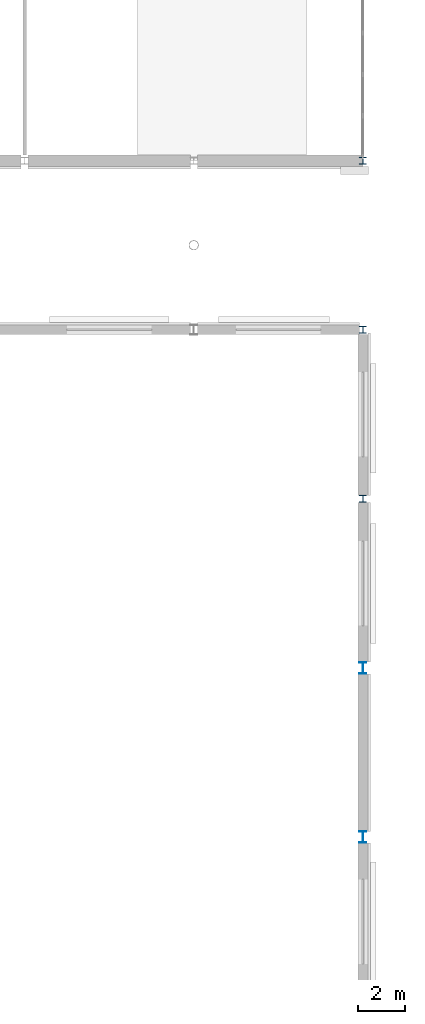
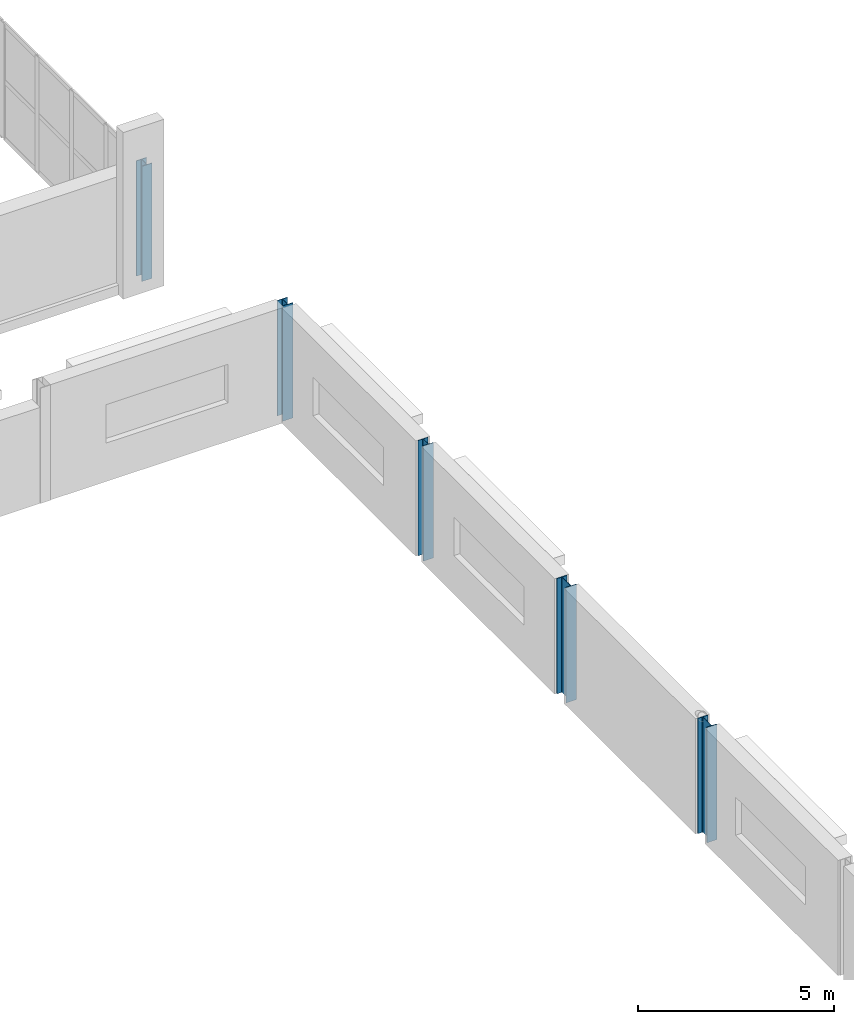
# One storey, part 23 of 124: 5 columns.
"""IFC4 building model written with IfcOpenShell, lengths in metres."""

import ifcopenshell
import ifcopenshell.guid

model = None  # the IFC model being written
_history = None  # IfcOwnerHistory: only IFC2X3 demands one
_inside = {}  # id of a spatial element -> (the spatial element, [elements in it])
_under = {}  # id of a project, library or spatial element -> (it, [spatial elements below it])
_declared = {}  # id of a project -> (the project, [libraries it declares])
_typed = {}  # id of a type object -> (the type object, [elements of that type])
_made_of = {}  # id of a material, layer set ... -> (it, [elements and type objects made of it])


def new_model(schema):
    """Start an empty IFC model of exactly this schema.

    Asked for "IFC4X3", IfcOpenShell would pick the latest addendum, in which some entities
    have other attributes; the version numbers below select the first issue.
    IFC2X3 requires an IfcOwnerHistory on every rooted entity: one is made here for all.
    """
    global model, _history
    if schema == "IFC4X3":
        model = ifcopenshell.file(schema_version=(4, 3, 0, 0))
    else:
        model = ifcopenshell.file(schema=schema)
    _inside.clear()
    _under.clear()
    _declared.clear()
    _typed.clear()
    _made_of.clear()
    _history = None
    if model.schema == "IFC2X3":
        org = make("IfcOrganization", Name="unknown")
        user = make(
            "IfcPersonAndOrganization",
            ThePerson=make("IfcPerson", FamilyName="unknown"),
            TheOrganization=org,
        )
        app = make(
            "IfcApplication",
            ApplicationDeveloper=org,
            Version="unknown",
            ApplicationFullName="unknown",
            ApplicationIdentifier="unknown",
        )
        _history = make(
            "IfcOwnerHistory",
            OwningUser=user,
            OwningApplication=app,
            ChangeAction="ADDED",
            CreationDate=0,
        )
    return model


def make(cls, **values):
    """One entity of the class cls with the attributes given. An attribute that is None is left unset."""
    return model.create_entity(
        cls, **{name: value for name, value in values.items() if value is not None}
    )


def rooted(cls, **values):
    """An entity with a GlobalId (a new one), such as an element, a storey or a relation."""
    return make(cls, GlobalId=ifcopenshell.guid.new(), OwnerHistory=_history, **values)


def si_unit(unit_type, name, prefix=None):
    """IfcSIUnit, for example si_unit("LENGTHUNIT", "METRE", prefix="MILLI")."""
    return make("IfcSIUnit", UnitType=unit_type, Prefix=prefix, Name=name)


def assignment(units):
    """IfcUnitAssignment: the units of a project."""
    return None if units is None else make("IfcUnitAssignment", Units=units)


def point(xyz):
    """IfcCartesianPoint."""
    return None if xyz is None else make("IfcCartesianPoint", Coordinates=xyz)


def direction(xyz):
    """IfcDirection."""
    return None if xyz is None else make("IfcDirection", DirectionRatios=xyz)


def frame(location, z_axis=None, x_axis=None):
    """IfcAxis2Placement3D, a coordinate frame: its origin and axes. An axis left out is left unset."""
    return make(
        "IfcAxis2Placement3D",
        Location=point(location),
        Axis=direction(z_axis),
        RefDirection=direction(x_axis),
    )


def frame_2d(location, x_axis=None):
    """IfcAxis2Placement2D, a coordinate frame in the plane: its origin and x axis."""
    return make(
        "IfcAxis2Placement2D", Location=point(location), RefDirection=direction(x_axis)
    )


def origin():
    """The frame at (0, 0, 0) with its axes left unset."""
    return frame((0.0, 0.0, 0.0))


def origin_2d():
    """The frame at (0, 0) in the plane with its x axis left unset."""
    return frame_2d((0.0, 0.0))


def place(relative_to, where):
    """IfcLocalPlacement: puts the frame where relative to a parent placement (None: the world)."""
    return make(
        "IfcLocalPlacement", PlacementRelTo=relative_to, RelativePlacement=where
    )


def context(
    kind, dimensions, precision=None, world=None, true_north=None, identifier=None
):
    """IfcGeometricRepresentationContext, for example the 3D "Model" context."""
    return make(
        "IfcGeometricRepresentationContext",
        ContextIdentifier=identifier,
        ContextType=kind,
        CoordinateSpaceDimension=dimensions,
        Precision=precision,
        WorldCoordinateSystem=world,
        TrueNorth=true_north,
    )


def subcontext(parent, identifier, kind, view, scale=None):
    """IfcGeometricRepresentationSubContext, for example "Body" below "Model"."""
    return make(
        "IfcGeometricRepresentationSubContext",
        ContextIdentifier=identifier,
        ContextType=kind,
        ParentContext=parent,
        TargetScale=scale,
        TargetView=view,
    )


def project(units=None, contexts=None):
    """IfcProject with its units and contexts."""
    return rooted(
        "IfcProject",
        Name="project",
        RepresentationContexts=contexts,
        UnitsInContext=assignment(units),
    )


def spatial(cls, under=None, at=None, **own):
    """A site, building, storey or space (cls), placed at a placement, below another one or the project."""
    s = rooted(cls, ObjectPlacement=at, **own)
    if under is not None:
        _under.setdefault(under.id(), (under, []))[1].append(s)
    return s


def profile(cls, at=None, kind="AREA", **sizes):
    """A parametric profile (cls). Its sizes go by their IFC names, for example OverallWidth=200.0."""
    return make(cls, ProfileType=kind, Position=at, **sizes)


def i_section(**sizes):
    """IfcIShapeProfileDef."""
    return profile("IfcIShapeProfileDef", **sizes)


def extrude(swept, where, along, depth):
    """IfcExtrudedAreaSolid: the profile swept, set in the frame where, extruded along a direction by depth."""
    return make(
        "IfcExtrudedAreaSolid",
        SweptArea=swept,
        Position=where,
        ExtrudedDirection=direction(along),
        Depth=depth,
    )


def shape(context_of_items, identifier, shape_type, items):
    """IfcShapeRepresentation: the items that make up one representation, for example the "Body"."""
    return make(
        "IfcShapeRepresentation",
        ContextOfItems=context_of_items,
        RepresentationIdentifier=identifier,
        RepresentationType=shape_type,
        Items=items,
    )


def material(Name=None, Category=None):
    """IfcMaterial."""
    return make("IfcMaterial", Name=Name, Category=Category)


def material_profile(
    of_material, cross_section, Name=None, Category=None, Priority=None
):
    """IfcMaterialProfile: a cross section and its material."""
    return make(
        "IfcMaterialProfile",
        Name=Name,
        Material=of_material,
        Profile=cross_section,
        Priority=Priority,
        Category=Category,
    )


def profile_set(profiles, Name=None, composite=None):
    """IfcMaterialProfileSet."""
    return make(
        "IfcMaterialProfileSet",
        Name=Name,
        MaterialProfiles=profiles,
        CompositeProfile=composite,
    )


def made_of(thing, what):
    """Note that an element or type object is made of a material, layer set ...; save() writes the relation."""
    if what is not None:
        _made_of.setdefault(what.id(), (what, []))[1].append(thing)
    return thing


def type_object(cls, material=None, **own):
    """A type object (cls), such as IfcWallType, which elements share."""
    return made_of(rooted(cls, **own), material)


def element(
    cls,
    number,
    at=None,
    inside=None,
    cuts=None,
    type_object=None,
    material=None,
    context=None,
    identifier="Body",
    shape_type=None,
    held_by="IfcProductDefinitionShape",
    body=None,
    shapes=None,
    **own,
):
    """One element of the class cls, such as IfcWall. Its Tag is "e" and its number.

    at: its placement. inside: the storey or other place that contains it. cuts: it is an
    opening in that element (IfcRelVoidsElement). A single representation is given by context,
    identifier, shape_type and body (its items); several are given by shapes. held_by: the class
    of the entity that holds the representations. save() writes the other relations.
    """
    e = rooted(cls, Tag="e%d" % number, ObjectPlacement=at, **own)
    if body is not None:
        shapes = [shape(context, identifier, shape_type, body)]
    if shapes is not None:
        e.Representation = make(held_by, Representations=shapes)
    if inside is not None:
        _inside.setdefault(inside.id(), (inside, []))[1].append(e)
    if cuts is not None:
        rooted(
            "IfcRelVoidsElement", RelatingBuildingElement=cuts, RelatedOpeningElement=e
        )
    if type_object is not None:
        _typed.setdefault(type_object.id(), (type_object, []))[1].append(e)
    return made_of(e, material)


def aggregate(whole, parts):
    """IfcRelAggregates: a whole, such as a stair, and the parts it consists of."""
    return rooted("IfcRelAggregates", RelatingObject=whole, RelatedObjects=parts)


def save(model, path):
    """Write the relations noted so far, then the file.

    IfcRelAggregates (storeys below a building ...), IfcRelContainedInSpatialStructure (elements
    in a storey), IfcRelDefinesByType, IfcRelAssociatesMaterial and IfcRelDeclares: one each for
    every whole, place, type object, material and project.
    """
    for whole, parts in _under.values():
        aggregate(whole, parts)
    for where, things in _inside.values():
        rooted(
            "IfcRelContainedInSpatialStructure",
            RelatedElements=things,
            RelatingStructure=where,
        )
    for kind, things in _typed.values():
        rooted("IfcRelDefinesByType", RelatedObjects=things, RelatingType=kind)
    for what, things in _made_of.values():
        rooted("IfcRelAssociatesMaterial", RelatedObjects=things, RelatingMaterial=what)
    for by, libraries in _declared.values():
        rooted("IfcRelDeclares", RelatingContext=by, RelatedDefinitions=libraries)
    model.write(path)


model = new_model("IFC4")

# Units and contexts
model_context = context("Model", 3, precision=1e-05, world=origin(), true_north=direction((0.0, 1.0)))
body_context = subcontext(model_context, "Body", "Model", "MODEL_VIEW")
ifc_project = project(units=[si_unit("LENGTHUNIT", "METRE"), si_unit("AREAUNIT", "SQUARE_METRE"), si_unit("VOLUMEUNIT", "CUBIC_METRE"), si_unit("PLANEANGLEUNIT", "RADIAN"), si_unit("MASSUNIT", "GRAM", prefix="KILO")], contexts=[model_context])

# Site, building, storey
site_placement = place(None, origin())
site = spatial("IfcSite", under=ifc_project, at=site_placement, CompositionType="ELEMENT")
building_placement = place(site_placement, origin())
building = spatial("IfcBuilding", under=site, at=building_placement, Name="Kupolbacken Congress Centre", CompositionType="ELEMENT")
storey_placement = place(building_placement, frame((0.0, 0.0, 10.800048828125)))
storey = spatial("IfcBuildingStorey", under=building, at=storey_placement, Name="L03", CompositionType="ELEMENT", Elevation=10.800048828125)

# Columns
ifc_material_1 = material(Name="Steel S355", Category="steel")
ifc_material_profile_1 = material_profile(ifc_material_1, i_section(OverallWidth=0.300048828125, OverallDepth=0.300048828125, WebThickness=0.010986328125, FlangeThickness=0.01904296875, FilletRadius=0.027099609375, at=origin_2d()), Name="HEB 300")
ifc_profile_set_1 = profile_set([ifc_material_profile_1], Name="Steel S355")
column_type_1 = type_object("IfcColumnType", Name="C06 column HEB 300", PredefinedType="COLUMN", material=ifc_profile_set_1)
column_placement = place(storey_placement, frame((201.60009765625, 122.39990234375, 0.0), z_axis=(0.0, 0.0, 1.0), x_axis=(1.0, 0.0, 0.0)))
element("IfcColumn", 1, at=column_placement, inside=storey, type_object=column_type_1, Name="S/col/C-B-B8S/L03", PredefinedType="COLUMN", context=body_context, shape_type="SweptSolid", body=[
    extrude(i_section(OverallWidth=0.300048828125, OverallDepth=0.300048828125, WebThickness=0.010986328125, FlangeThickness=0.01904296875, FilletRadius=0.027099609375, at=origin_2d()), origin(), (0.0, 0.0, 1.0), 3.599853515625),
])
ifc_material_2 = material(Name="Steel S355", Category="steel")
ifc_material_profile_2 = material_profile(ifc_material_2, i_section(OverallWidth=0.300048828125, OverallDepth=0.2900390625, WebThickness=0.008544921875, FlangeThickness=0.013916015625, FilletRadius=0.027099609375, at=origin_2d()), Name="HEA 300")
ifc_profile_set_2 = profile_set([ifc_material_profile_2], Name="Steel S355")
column_type_2 = type_object("IfcColumnType", Name="C09 column HEA 300", PredefinedType="COLUMN", material=ifc_profile_set_2)
for number, where, z_axis, x_axis, name in (
    (2, (201.60009765625, 108.0, 0.0), (0.0, 0.0, 1.0), (1.0, 0.0, 0.0), "S/col/C-H-PE10/L03"),
    (3, (201.60009765625, 115.199951171875, 0.0), (0.0, 0.0, 1.0), (1.0, 0.0, 0.0), "S/col/C-H-PE11/L03"),
):
    element("IfcColumn", number, at=place(storey_placement, frame(where, z_axis=z_axis, x_axis=x_axis)), inside=storey, type_object=column_type_2, Name=name, PredefinedType="COLUMN", context=body_context, shape_type="SweptSolid", body=[
        extrude(i_section(OverallWidth=0.300048828125, OverallDepth=0.2900390625, WebThickness=0.008544921875, FlangeThickness=0.013916015625, FilletRadius=0.027099609375, at=origin_2d()), origin(), (0.0, 0.0, 1.0), 3.599853515625),
    ])
ifc_material_3 = material(Name="Steel S355", Category="steel")
ifc_material_profile_3 = material_profile(ifc_material_3, i_section(OverallWidth=0.300048828125, OverallDepth=0.489990234375, WebThickness=0.011962890625, FlangeThickness=0.02294921875, FilletRadius=0.027099609375, at=origin_2d()), Name="HEA 500")
ifc_profile_set_3 = profile_set([ifc_material_profile_3], Name="Steel S355")
column_type_3 = type_object("IfcColumnType", Name="C14 column HEA 500", PredefinedType="COLUMN", material=ifc_profile_set_3)
for number, where, z_axis, x_axis, name in (
    (4, (201.60009765625, 93.60009765625, 0.0), (0.0, 0.0, 1.0), (1.0, 0.0, 0.0), "S/col/C-H-PE08/L03"),
    (5, (201.60009765625, 100.800048828125, 0.0), (0.0, 0.0, 1.0), (1.0, 0.0, 0.0), "S/col/C-H-PE09/L03"),
):
    element("IfcColumn", number, at=place(storey_placement, frame(where, z_axis=z_axis, x_axis=x_axis)), inside=storey, type_object=column_type_3, Name=name, PredefinedType="COLUMN", context=body_context, shape_type="SweptSolid", body=[
        extrude(i_section(OverallWidth=0.300048828125, OverallDepth=0.489990234375, WebThickness=0.011962890625, FlangeThickness=0.02294921875, FilletRadius=0.027099609375, at=origin_2d()), origin(), (0.0, 0.0, 1.0), 3.599853515625),
    ])

save(model, "model.ifc")
